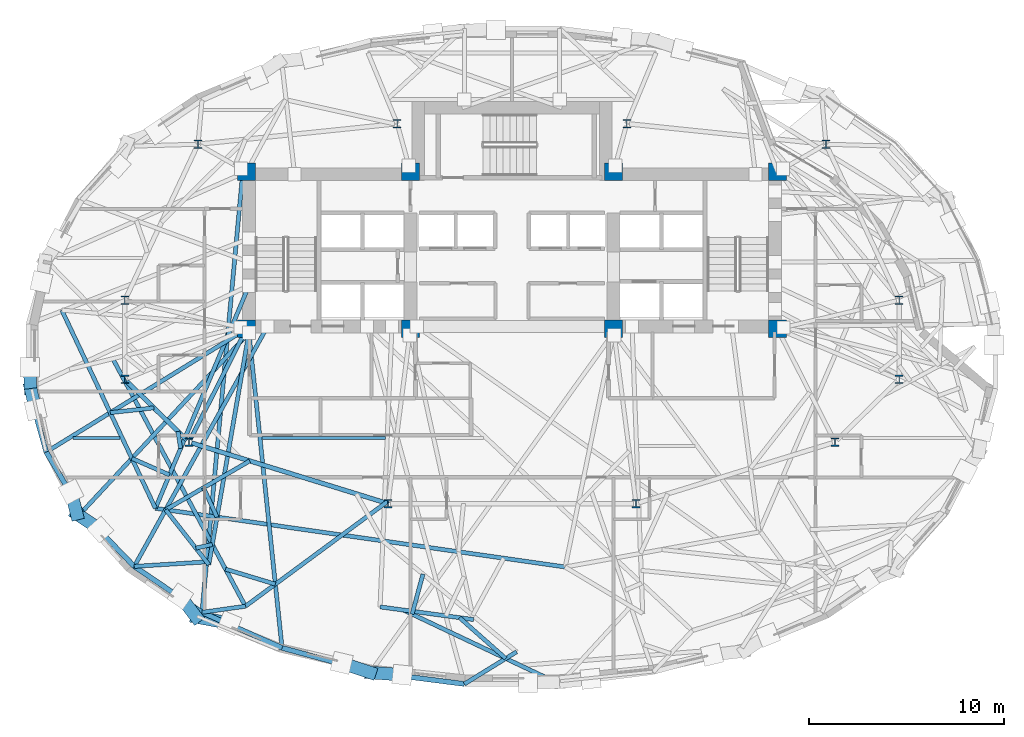
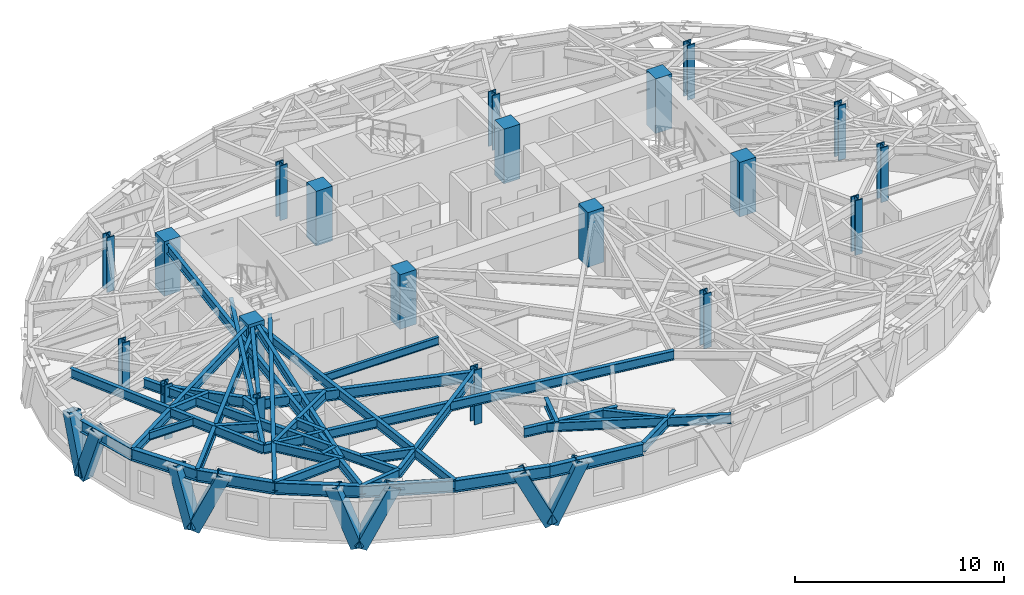
# One storey, part 1 of 15: 38 beams, 20 columns, 8 members.
"""IFC4 building model written with IfcOpenShell, lengths in metres."""

from ifc_helpers import new_model, si_unit, direction, frame, origin, origin_2d, place, context, subcontext, project, spatial, rectangle, hollow_rectangle, i_section, extrude, material, material_profile, profile_set, type_object, element, save


model = new_model("IFC4")

# Units and contexts
model_context = context("Model", 3, precision=1e-05, world=origin(), true_north=direction((0.0, 1.0)))
body_context = subcontext(model_context, "Body", "Model", "MODEL_VIEW")
ifc_project = project(units=[si_unit("LENGTHUNIT", "METRE"), si_unit("AREAUNIT", "SQUARE_METRE"), si_unit("VOLUMEUNIT", "CUBIC_METRE"), si_unit("PLANEANGLEUNIT", "RADIAN"), si_unit("MASSUNIT", "GRAM", prefix="KILO")], contexts=[model_context])

# Site, building, storey
site_placement = place(None, origin())
site = spatial("IfcSite", under=ifc_project, at=site_placement, CompositionType="ELEMENT")
building_placement = place(site_placement, origin())
building = spatial("IfcBuilding", under=site, at=building_placement, Name="Keldmark Tower", CompositionType="ELEMENT")
storey_placement = place(building_placement, frame((0.0, 0.0, 156.60009765625)))
storey = spatial("IfcBuildingStorey", under=building, at=storey_placement, Name="L42", CompositionType="ELEMENT", Elevation=156.60009765625)

# Columns
ifc_material_1 = material(Name="Concrete C50/60", Category="concrete")
ifc_material_profile_1 = material_profile(ifc_material_1, rectangle(XDim=0.89990234375, YDim=0.89990234375, at=origin_2d()), Name="RC900X900")
ifc_profile_set_1 = profile_set([ifc_material_profile_1], Name="Concrete C50/60")
column_type_1 = type_object("IfcColumnType", Name="Core Boundary Column RC900", PredefinedType="COLUMN", material=ifc_profile_set_1)
for number, where, z_axis, x_axis, name in (
    (1, (-13.60009765625, 1.39990234375, 0.0), (0.0, 0.0, 1.0), (1.0, 0.0, 0.0), "L42 Core Boundary Column CC-W1"),
    (2, (-13.60009765625, 9.449951171875, 0.0), (0.0, 0.0, 1.0), (1.0, 0.0, 0.0), "L42 Core Boundary Column CC-W2"),
    (3, (-5.199951171875, 1.39990234375, 0.0), (0.0, 0.0, 1.0), (1.0, 0.0, 0.0), "L42 Core Boundary Column CC-W3"),
    (4, (-5.199951171875, 9.449951171875, 0.0), (0.0, 0.0, 1.0), (1.0, 0.0, 0.0), "L42 Core Boundary Column CC-W4"),
    (5, (5.199951171875, 1.39990234375, 0.0), (0.0, 0.0, 1.0), (1.0, 0.0, 0.0), "L42 Core Boundary Column CC-E1"),
    (6, (5.199951171875, 9.449951171875, 0.0), (0.0, 0.0, 1.0), (1.0, 0.0, 0.0), "L42 Core Boundary Column CC-E2"),
    (7, (13.60009765625, 1.39990234375, 0.0), (0.0, 0.0, 1.0), (1.0, 0.0, 0.0), "L42 Core Boundary Column CC-E3"),
    (8, (13.60009765625, 9.449951171875, 0.0), (0.0, 0.0, 1.0), (1.0, 0.0, 0.0), "L42 Core Boundary Column CC-E4"),
):
    element("IfcColumn", number, at=place(storey_placement, frame(where, z_axis=z_axis, x_axis=x_axis)), inside=storey, type_object=column_type_1, Name=name, PredefinedType="COLUMN", context=body_context, shape_type="SweptSolid", body=[
        extrude(rectangle(XDim=0.89990234375, YDim=0.89990234375, at=origin_2d()), origin(), (0.0, 0.0, 1.0), 3.199951171875),
    ])
ifc_material_2 = material(Name="Steel ASTM A992 Grade 50", Category="steel")
ifc_material_profile_2 = material_profile(ifc_material_2, i_section(OverallWidth=0.412109375, OverallDepth=0.43505859375, WebThickness=0.035888671875, FlangeThickness=0.057373046875, at=origin_2d()), Name="W14X311")
ifc_profile_set_2 = profile_set([ifc_material_profile_2], Name="Steel ASTM A992 Grade 50")
column_type_2 = type_object("IfcColumnType", Name="Tower Gravity Column W14X311", PredefinedType="COLUMN", material=ifc_profile_set_2)
for number, where, z_axis, x_axis, name in (
    (9, (19.828369140625, 2.869140625, 0.0), (0.0, 0.0, 1.0), (1.0, 0.0, 0.0), "L42 Tower Gravity Column TC-E1"),
    (10, (16.08154296875, 10.861083984375, 0.0), (0.0, 0.0, 1.0), (1.0, 0.0, 0.0), "L42 Tower Gravity Column TC-E4"),
    (11, (5.880126953125, 11.915283203125, 0.0), (0.0, 0.0, 1.0), (1.0, 0.0, 0.0), "L42 Tower Gravity Column TC-N2"),
    (12, (-5.880126953125, 11.915283203125, 0.0), (0.0, 0.0, 1.0), (1.0, 0.0, 0.0), "L42 Tower Gravity Column TC-N1"),
    (13, (-16.08154296875, 10.861083984375, 0.0), (0.0, 0.0, 1.0), (1.0, 0.0, 0.0), "L42 Tower Gravity Column TC-W4"),
    (14, (-19.828369140625, 2.869140625, 0.0), (0.0, 0.0, 1.0), (1.0, 0.0, 0.0), "L42 Tower Gravity Column TC-W1"),
    (15, (-19.828369140625, -1.189208984375, 0.0), (0.0, 0.0, 1.0), (1.0, 0.0, 0.0), "L42 Tower Gravity Column TC-W5"),
    (16, (-16.546630859375, -4.3984375, 0.0), (0.0, 0.0, 1.0), (1.0, 0.0, 0.0), "L42 Tower Gravity Column TC-W2"),
    (17, (-6.351318359375, -7.546142578125, 0.0), (0.0, 0.0, 1.0), (1.0, 0.0, 0.0), "L42 Tower Gravity Column TC-W3"),
    (18, (6.351318359375, -7.546142578125, 0.0), (0.0, 0.0, 1.0), (1.0, 0.0, 0.0), "L42 Tower Gravity Column TC-E3"),
    (19, (16.546630859375, -4.3984375, 0.0), (0.0, 0.0, 1.0), (1.0, 0.0, 0.0), "L42 Tower Gravity Column TC-E2"),
    (20, (19.828369140625, -1.189208984375, 0.0), (0.0, 0.0, 1.0), (1.0, 0.0, 0.0), "L42 Tower Gravity Column TC-E5"),
):
    element("IfcColumn", number, at=place(storey_placement, frame(where, z_axis=z_axis, x_axis=x_axis)), inside=storey, type_object=column_type_2, Name=name, PredefinedType="COLUMN", context=body_context, shape_type="SweptSolid", body=[
        extrude(i_section(OverallWidth=0.412109375, OverallDepth=0.43505859375, WebThickness=0.035888671875, FlangeThickness=0.057373046875, at=origin_2d()), origin(), (0.0, 0.0, 1.0), 3.199951171875),
    ])

# Beams
ifc_material_3 = material(Name="Steel ASTM A992 Grade 50", Category="steel")
ifc_material_profile_3 = material_profile(ifc_material_3, i_section(OverallWidth=0.153076171875, OverallDepth=0.455078125, WebThickness=0.008056640625, FlangeThickness=0.01318359375, at=origin_2d()), Name="W18X40")
ifc_profile_set_3 = profile_set([ifc_material_profile_3], Name="Steel ASTM A992 Grade 50")
beam_type_1 = type_object("IfcBeamType", Name="Composite Floor Joist W18X40", PredefinedType="JOIST", material=ifc_profile_set_3)
beam_1_placement = place(storey_placement, frame((-22.488525390625, -4.179931640625, 2.79248046875), z_axis=(1.0, 0.0, 0.0), x_axis=(0.0, 1.0, 0.0)))
element("IfcBeam", 21, at=beam_1_placement, inside=storey, type_object=beam_type_1, Name="L42 Composite Floor Joist J01", PredefinedType="JOIST", context=body_context, shape_type="SweptSolid", body=[
    extrude(i_section(OverallWidth=0.153076171875, OverallDepth=0.455078125, WebThickness=0.008056640625, FlangeThickness=0.01318359375, at=origin_2d()), origin(), (0.0, 0.0, 1.0), 2.413330078125),
])
beam_2_placement = place(storey_placement, frame((-12.81298828125, -4.179931640625, 2.79248046875), z_axis=(1.0, 0.0, 0.0), x_axis=(0.0, 1.0, 0.0)))
element("IfcBeam", 22, at=beam_2_placement, inside=storey, type_object=beam_type_1, Name="L42 Composite Floor Joist J02", PredefinedType="JOIST", context=body_context, shape_type="SweptSolid", body=[
    extrude(i_section(OverallWidth=0.153076171875, OverallDepth=0.455078125, WebThickness=0.008056640625, FlangeThickness=0.01318359375, at=origin_2d()), origin(), (0.0, 0.0, 1.0), 6.324951171875),
])

# Members
ifc_material_4 = material(Name="Steel ASTM A572 Grade 50", Category="steel")
ifc_material_profile_4 = material_profile(ifc_material_4, hollow_rectangle(XDim=0.64990234375, YDim=0.64990234375, WallThickness=0.0400390625, at=origin_2d()), Name="BOX650X650X40")
ifc_profile_set_4 = profile_set([ifc_material_profile_4], Name="Steel ASTM A572 Grade 50")
member_type = type_object("IfcMemberType", Name="Diagrid Zone 3 Brace BOX650X650X40", PredefinedType="BRACE", material=ifc_profile_set_4)
member_1_placement = place(storey_placement, frame((-24.661376953125, -1.656494140625, -0.260009765625), z_axis=(-0.013425575147, 0.3285617657, 0.944387060506), x_axis=(-0.999166206847, -0.040827577628, 0.0)))
element("IfcMember", 23, at=member_1_placement, inside=storey, type_object=member_type, Name="L42 Perimeter Diagrid Brace 08B", PredefinedType="BRACE", context=body_context, shape_type="SweptSolid", body=[
    extrude(hollow_rectangle(XDim=0.64990234375, YDim=0.64990234375, WallThickness=0.0400390625, at=origin_2d()), origin(), (0.0, 0.0, 1.0), 3.345947265625),
])
member_2_placement = place(storey_placement, frame((-24.661376953125, -1.64453125, -0.260009765625), z_axis=(0.076993934621, -0.324365175842, 0.942793278897), x_axis=(0.972965402394, 0.23095091631, 0.0)))
element("IfcMember", 24, at=member_2_placement, inside=storey, type_object=member_type, Name="L42 Perimeter Diagrid Brace 09A", PredefinedType="BRACE", context=body_context, shape_type="SweptSolid", body=[
    extrude(hollow_rectangle(XDim=0.64990234375, YDim=0.64990234375, WallThickness=0.0400390625, at=origin_2d()), origin(), (0.0, 0.0, 1.0), 3.3515625),
])
member_3_placement = place(storey_placement, frame((-22.297607421875, -8.082275390625, -0.260009765625), z_axis=(-0.085577163201, 0.338471436517, 0.937077177078), x_axis=(-0.969492521537, -0.245120889937, 0.0)))
element("IfcMember", 25, at=member_3_placement, inside=storey, type_object=member_type, Name="L42 Perimeter Diagrid Brace 09B", PredefinedType="BRACE", context=body_context, shape_type="SweptSolid", body=[
    extrude(hollow_rectangle(XDim=0.64990234375, YDim=0.64990234375, WallThickness=0.0400390625, at=origin_2d()), origin(), (0.0, 0.0, 1.0), 3.3720703125),
])
member_4_placement = place(storey_placement, frame((-22.30224609375, -8.0712890625, -0.260009765625), z_axis=(0.348710425807, -0.233198343887, 0.907755237573), x_axis=(0.555895650808, 0.831252082952, 0.0)))
element("IfcMember", 26, at=member_4_placement, inside=storey, type_object=member_type, Name="L42 Perimeter Diagrid Brace 10A", PredefinedType="BRACE", context=body_context, shape_type="SweptSolid", body=[
    extrude(hollow_rectangle(XDim=0.64990234375, YDim=0.64990234375, WallThickness=0.0400390625, at=origin_2d()), origin(), (0.0, 0.0, 1.0), 3.48095703125),
])
member_5_placement = place(storey_placement, frame((-16.17578125, -13.36083984375, -0.260009765625), z_axis=(-0.237246505981, 0.310568192931, 0.920468083607), x_axis=(-0.794662472972, -0.607051525037, 0.0)))
element("IfcMember", 27, at=member_5_placement, inside=storey, type_object=member_type, Name="L42 Perimeter Diagrid Brace 10B", PredefinedType="BRACE", context=body_context, shape_type="SweptSolid", body=[
    extrude(hollow_rectangle(XDim=0.64990234375, YDim=0.64990234375, WallThickness=0.0400390625, at=origin_2d()), origin(), (0.0, 0.0, 1.0), 3.432861328125),
])
member_6_placement = place(storey_placement, frame((-16.18408203125, -13.3525390625, -0.260009765625), z_axis=(0.473834234057, -0.090083326029, 0.875994356721), x_axis=(0.186770346323, 0.98240360226, 0.0)))
element("IfcMember", 28, at=member_6_placement, inside=storey, type_object=member_type, Name="L42 Perimeter Diagrid Brace 11A", PredefinedType="BRACE", context=body_context, shape_type="SweptSolid", body=[
    extrude(hollow_rectangle(XDim=0.64990234375, YDim=0.64990234375, WallThickness=0.0400390625, at=origin_2d()), origin(), (0.0, 0.0, 1.0), 3.607177734375),
])
member_7_placement = place(storey_placement, frame((-7.247314453125, -16.205078125, -0.260009765625), z_axis=(-0.418816960474, 0.141176592501, 0.897029276752), x_axis=(-0.319424921765, -0.947611586757, 0.0)))
element("IfcMember", 29, at=member_7_placement, inside=storey, type_object=member_type, Name="L42 Perimeter Diagrid Brace 11B", PredefinedType="BRACE", context=body_context, shape_type="SweptSolid", body=[
    extrude(hollow_rectangle(XDim=0.64990234375, YDim=0.64990234375, WallThickness=0.0400390625, at=origin_2d()), origin(), (0.0, 0.0, 1.0), 3.522705078125),
])
member_8_placement = place(storey_placement, frame((-7.25830078125, -16.200439453125, -0.260009765625), z_axis=(0.459940361757, -0.033523749724, 0.887316753945), x_axis=(0.072694326547, 0.997354267494, 0.0)))
element("IfcMember", 30, at=member_8_placement, inside=storey, type_object=member_type, Name="L42 Perimeter Diagrid Brace 12A", PredefinedType="BRACE", context=body_context, shape_type="SweptSolid", body=[
    extrude(hollow_rectangle(XDim=0.64990234375, YDim=0.64990234375, WallThickness=0.0400390625, at=origin_2d()), origin(), (0.0, 0.0, 1.0), 3.561279296875),
])

# Beams
ifc_material_5 = material(Name="Steel ASTM A992 Grade 50", Category="steel")
ifc_material_profile_5 = material_profile(ifc_material_5, i_section(OverallWidth=0.22900390625, OverallDepth=0.612060546875, WebThickness=0.011962890625, FlangeThickness=0.01953125, at=origin_2d()), Name="W24X84")
ifc_profile_set_5 = profile_set([ifc_material_profile_5], Name="Steel ASTM A992 Grade 50")
beam_type_2 = type_object("IfcBeamType", Name="Primary Floor Girder W24X84", PredefinedType="BEAM", material=ifc_profile_set_5)
beam_3_placement = place(storey_placement, frame((-19.728271484375, -1.287109375, 2.7138671875), z_axis=(0.714964509815, -0.699160746684, 0.0), x_axis=(0.699160746684, 0.714964509815, 0.0)))
element("IfcBeam", 31, at=beam_3_placement, inside=storey, type_object=beam_type_2, Name="L42 Floor Ring Girder FG-R07", PredefinedType="BEAM", context=body_context, shape_type="SweptSolid", body=[
    extrude(i_section(OverallWidth=0.22900390625, OverallDepth=0.612060546875, WebThickness=0.011962890625, FlangeThickness=0.01953125, at=origin_2d()), origin(), (0.0, 0.0, 1.0), 4.31005859375),
])
beam_4_placement = place(storey_placement, frame((-16.412841796875, -4.439697265625, 2.7138671875), z_axis=(0.955494563145, -0.295008711398, 0.0), x_axis=(0.295008711398, 0.955494563145, 0.0)))
element("IfcBeam", 32, at=beam_4_placement, inside=storey, type_object=beam_type_2, Name="L42 Floor Ring Girder FG-R08", PredefinedType="BEAM", context=body_context, shape_type="SweptSolid", body=[
    extrude(i_section(OverallWidth=0.22900390625, OverallDepth=0.612060546875, WebThickness=0.011962890625, FlangeThickness=0.01953125, at=origin_2d()), origin(), (0.0, 0.0, 1.0), 10.39013671875),
])
ifc_material_6 = material(Name="Steel ASTM A992 Grade 50", Category="steel")
ifc_material_profile_6 = material_profile(ifc_material_6, i_section(OverallWidth=0.2099609375, OverallDepth=0.537109375, WebThickness=0.010986328125, FlangeThickness=0.017333984375, at=origin_2d()), Name="W21X68")
ifc_profile_set_6 = profile_set([ifc_material_profile_6], Name="Steel ASTM A992 Grade 50")
beam_type_3 = type_object("IfcBeamType", Name="Radial Tie Girder W21X68", PredefinedType="BEAM", material=ifc_profile_set_6)
beam_5_placement = place(storey_placement, frame((-16.4833984375, -4.273681640625, 2.75146484375), z_axis=(0.453036691775, 0.891491870914, 0.0), x_axis=(-0.891491870914, 0.453036691775, 0.0)))
element("IfcBeam", 33, at=beam_5_placement, inside=storey, type_object=beam_type_3, Name="L42 Floor Radial Girder FG-C08", PredefinedType="BEAM", context=body_context, shape_type="SweptSolid", body=[
    extrude(i_section(OverallWidth=0.2099609375, OverallDepth=0.537109375, WebThickness=0.010986328125, FlangeThickness=0.017333984375, at=origin_2d()), origin(), (0.0, 0.0, 1.0), 6.044189453125),
])
beam_6_placement = place(storey_placement, frame((-17.10888671875, -3.8486328125, 2.75146484375), z_axis=(0.151059193006, -0.988524719068, 0.0), x_axis=(0.988524719068, 0.151059193006, 0.0)))
element("IfcBeam", 34, at=beam_6_placement, inside=storey, type_object=beam_type_3, Name="L42 Framing Pin Header PH-006", PredefinedType="BEAM", context=body_context, shape_type="SweptSolid", body=[
    extrude(i_section(OverallWidth=0.2099609375, OverallDepth=0.537109375, WebThickness=0.010986328125, FlangeThickness=0.017333984375, at=origin_2d()), origin(), (0.0, 0.0, 1.0), 0.88232421875),
])
beam_7_placement = place(storey_placement, frame((-13.47509765625, 3.6142578125, 2.75146484375), z_axis=(-0.387184823209, -0.922002121839, 0.0), x_axis=(0.922002121839, -0.387184823209, 0.0)))
element("IfcBeam", 35, at=beam_7_placement, inside=storey, type_object=beam_type_3, Name="L42 Sub-Ring Step Girder STP2-M08", PredefinedType="BEAM", context=body_context, shape_type="SweptSolid", body=[
    extrude(i_section(OverallWidth=0.2099609375, OverallDepth=0.537109375, WebThickness=0.010986328125, FlangeThickness=0.017333984375, at=origin_2d()), origin(), (0.0, 0.0, 1.0), 12.366455078125),
])
beam_8_placement = place(storey_placement, frame((-23.061767578125, 2.364013671875, 2.75146484375), z_axis=(0.42735344436, -0.904084638512, 0.0), x_axis=(0.904084638512, 0.42735344436, 0.0)))
element("IfcBeam", 36, at=beam_8_placement, inside=storey, type_object=beam_type_3, Name="L42 Perimeter Collector Ring Beam CRG2-M07", PredefinedType="BEAM", context=body_context, shape_type="SweptSolid", body=[
    extrude(i_section(OverallWidth=0.2099609375, OverallDepth=0.537109375, WebThickness=0.010986328125, FlangeThickness=0.017333984375, at=origin_2d()), origin(), (0.0, 0.0, 1.0), 11.228515625),
])
beam_9_placement = place(storey_placement, frame((-18.26318359375, -7.78759765625, 2.75146484375), z_axis=(0.989880746526, -0.141901753539, 0.0), x_axis=(0.141901753539, 0.989880746526, 0.0)))
element("IfcBeam", 37, at=beam_9_placement, inside=storey, type_object=beam_type_3, Name="L42 Perimeter Collector Ring Beam CRG2-M08", PredefinedType="BEAM", context=body_context, shape_type="SweptSolid", body=[
    extrude(i_section(OverallWidth=0.2099609375, OverallDepth=0.537109375, WebThickness=0.010986328125, FlangeThickness=0.017333984375, at=origin_2d()), origin(), (0.0, 0.0, 1.0), 21.20166015625),
])
beam_10_placement = place(storey_placement, frame((-18.341552734375, -2.643310546875, 2.75146484375), z_axis=(-0.993966802091, -0.109681339982, 0.0), x_axis=(0.109681339982, -0.993966802091, 0.0)))
element("IfcBeam", 38, at=beam_10_placement, inside=storey, type_object=beam_type_3, Name="L42 Framing Pin Header PH-015", PredefinedType="BEAM", context=body_context, shape_type="SweptSolid", body=[
    extrude(i_section(OverallWidth=0.2099609375, OverallDepth=0.537109375, WebThickness=0.010986328125, FlangeThickness=0.017333984375, at=origin_2d()), origin(), (0.0, 0.0, 1.0), 2.25048828125),
])
beam_11_placement = place(storey_placement, frame((-13.60009765625, 1.39990234375, 2.75146484375), z_axis=(-0.851889377542, -0.523721766237, 0.0), x_axis=(0.523721766237, -0.851889377542, 0.0)))
element("IfcBeam", 39, at=beam_11_placement, inside=storey, type_object=beam_type_3, Name="L42 Perimeter Radial Tie Girder RT-18", PredefinedType="BEAM", context=body_context, shape_type="SweptSolid", body=[
    extrude(i_section(OverallWidth=0.2099609375, OverallDepth=0.537109375, WebThickness=0.010986328125, FlangeThickness=0.017333984375, at=origin_2d()), origin(), (0.0, 0.0, 1.0), 12.0400390625),
])
beam_12_placement = place(storey_placement, frame((-17.545166015625, -6.077392578125, 2.75146484375), z_axis=(-0.915749251717, 0.401750305513, 0.0), x_axis=(-0.401750305513, -0.915749251717, 0.0)))
element("IfcBeam", 40, at=beam_12_placement, inside=storey, type_object=beam_type_3, Name="L42 Framing Pin Header PH-016", PredefinedType="BEAM", context=body_context, shape_type="SweptSolid", body=[
    extrude(i_section(OverallWidth=0.2099609375, OverallDepth=0.537109375, WebThickness=0.010986328125, FlangeThickness=0.017333984375, at=origin_2d()), origin(), (0.0, 0.0, 1.0), 2.103271484375),
])
beam_13_placement = place(storey_placement, frame((-13.47509765625, 1.199951171875, 2.75146484375), z_axis=(-0.68187128717, -0.731472178372, 0.0), x_axis=(0.731472178372, -0.68187128717, 0.0)))
element("IfcBeam", 41, at=beam_13_placement, inside=storey, type_object=beam_type_3, Name="L42 Perimeter Radial Tie Girder RT-19", PredefinedType="BEAM", context=body_context, shape_type="SweptSolid", body=[
    extrude(i_section(OverallWidth=0.2099609375, OverallDepth=0.537109375, WebThickness=0.010986328125, FlangeThickness=0.017333984375, at=origin_2d()), origin(), (0.0, 0.0, 1.0), 12.556396484375),
])
beam_14_placement = place(storey_placement, frame((-13.4345703125, -5.359375, 2.75146484375), z_axis=(-0.86439716322, -0.502809650083, 0.0), x_axis=(0.502809650083, -0.86439716322, 0.0)))
element("IfcBeam", 42, at=beam_14_placement, inside=storey, type_object=beam_type_3, Name="L42 Framing Pin Header PH-017", PredefinedType="BEAM", context=body_context, shape_type="SweptSolid", body=[
    extrude(i_section(OverallWidth=0.2099609375, OverallDepth=0.537109375, WebThickness=0.010986328125, FlangeThickness=0.017333984375, at=origin_2d()), origin(), (0.0, 0.0, 1.0), 4.978759765625),
])
beam_15_placement = place(storey_placement, frame((-12.52490234375, 1.52490234375, 2.75146484375), z_axis=(-0.485502839655, -0.874235090057, 0.0), x_axis=(0.874235090057, -0.485502839655, 0.0)))
element("IfcBeam", 43, at=beam_15_placement, inside=storey, type_object=beam_type_3, Name="L42 Perimeter Radial Tie Girder RT-20", PredefinedType="BEAM", context=body_context, shape_type="SweptSolid", body=[
    extrude(i_section(OverallWidth=0.2099609375, OverallDepth=0.537109375, WebThickness=0.010986328125, FlangeThickness=0.017333984375, at=origin_2d()), origin(), (0.0, 0.0, 1.0), 14.057373046875),
])
beam_16_placement = place(storey_placement, frame((-15.801513671875, -6.736083984375, 2.75146484375), z_axis=(0.418497022702, -0.908218168718, 0.0), x_axis=(0.908218168718, 0.418497022702, 0.0)))
element("IfcBeam", 44, at=beam_16_placement, inside=storey, type_object=beam_type_3, Name="L42 Framing Pin Header PH-018", PredefinedType="BEAM", context=body_context, shape_type="SweptSolid", body=[
    extrude(i_section(OverallWidth=0.2099609375, OverallDepth=0.537109375, WebThickness=0.010986328125, FlangeThickness=0.017333984375, at=origin_2d()), origin(), (0.0, 0.0, 1.0), 1.655517578125),
])
beam_17_placement = place(storey_placement, frame((-13.47509765625, 1.199951171875, 2.75146484375), z_axis=(-0.170520248279, -0.985354172329, 0.0), x_axis=(0.985354172329, -0.170520248279, 0.0)))
element("IfcBeam", 45, at=beam_17_placement, inside=storey, type_object=beam_type_3, Name="L42 Intermediate Radial Step Girder RT-21M", PredefinedType="BEAM", context=body_context, shape_type="SweptSolid", body=[
    extrude(i_section(OverallWidth=0.2099609375, OverallDepth=0.537109375, WebThickness=0.010986328125, FlangeThickness=0.017333984375, at=origin_2d()), origin(), (0.0, 0.0, 1.0), 12.049560546875),
])
beam_18_placement = place(storey_placement, frame((-17.73828125, -7.86279296875, 2.75146484375), z_axis=(0.617890932331, -0.786263820701, 0.0), x_axis=(0.786263820701, 0.617890932331, 0.0)))
element("IfcBeam", 46, at=beam_18_placement, inside=storey, type_object=beam_type_3, Name="L42 Local Collector Chord RT-21C", PredefinedType="BEAM", context=body_context, shape_type="SweptSolid", body=[
    extrude(i_section(OverallWidth=0.2099609375, OverallDepth=0.537109375, WebThickness=0.010986328125, FlangeThickness=0.017333984375, at=origin_2d()), origin(), (0.0, 0.0, 1.0), 3.57421875),
])
beam_19_placement = place(storey_placement, frame((-19.349853515625, -10.7646484375, 2.75146484375), z_axis=(0.998042853963, 0.06253368415, 0.0), x_axis=(-0.06253368415, 0.998042853963, 0.0)))
element("IfcBeam", 47, at=beam_19_placement, inside=storey, type_object=beam_type_3, Name="L42 Framing Pin Header PH-019", PredefinedType="BEAM", context=body_context, shape_type="SweptSolid", body=[
    extrude(i_section(OverallWidth=0.2099609375, OverallDepth=0.537109375, WebThickness=0.010986328125, FlangeThickness=0.017333984375, at=origin_2d()), origin(), (0.0, 0.0, 1.0), 3.716796875),
])
beam_20_placement = place(storey_placement, frame((-13.800048828125, 9.324951171875, 2.75146484375), z_axis=(-0.092281945607, -0.99573291726, 0.0), x_axis=(0.99573291726, -0.092281945607, 0.0)))
element("IfcBeam", 48, at=beam_20_placement, inside=storey, type_object=beam_type_3, Name="L42 Perimeter Radial Tie Girder RT-21", PredefinedType="BEAM", context=body_context, shape_type="SweptSolid", body=[
    extrude(i_section(OverallWidth=0.2099609375, OverallDepth=0.537109375, WebThickness=0.010986328125, FlangeThickness=0.017333984375, at=origin_2d()), origin(), (0.0, 0.0, 1.0), 22.537841796875),
])
beam_21_placement = place(storey_placement, frame((-16.1923828125, -9.830078125, 2.75146484375), z_axis=(0.975279944922, 0.220972914704, 0.0), x_axis=(-0.220972914704, 0.975279944922, 0.0)))
element("IfcBeam", 49, at=beam_21_placement, inside=storey, type_object=beam_type_3, Name="L42 Framing Pin Header PH-020", PredefinedType="BEAM", context=body_context, shape_type="SweptSolid", body=[
    extrude(i_section(OverallWidth=0.2099609375, OverallDepth=0.537109375, WebThickness=0.010986328125, FlangeThickness=0.017333984375, at=origin_2d()), origin(), (0.0, 0.0, 1.0), 0.86279296875),
])
beam_22_placement = place(storey_placement, frame((-20.449462890625, -0.123779296875, 2.75146484375), z_axis=(0.472291573238, -0.881442380334, 0.0), x_axis=(0.881442380334, 0.472291573238, 0.0)))
element("IfcBeam", 50, at=beam_22_placement, inside=storey, type_object=beam_type_3, Name="L42 Intermediate Radial Step Girder RT-22M", PredefinedType="BEAM", context=body_context, shape_type="SweptSolid", body=[
    extrude(i_section(OverallWidth=0.2099609375, OverallDepth=0.537109375, WebThickness=0.010986328125, FlangeThickness=0.017333984375, at=origin_2d()), origin(), (0.0, 0.0, 1.0), 14.3876953125),
])
beam_23_placement = place(storey_placement, frame((-15.8798828125, -13.11669921875, 2.75146484375), z_axis=(0.990375132926, 0.138409161842, 0.0), x_axis=(-0.138409161842, 0.990375132926, 0.0)))
element("IfcBeam", 51, at=beam_23_placement, inside=storey, type_object=beam_type_3, Name="L42 Local Collector Chord RT-22C", PredefinedType="BEAM", context=body_context, shape_type="SweptSolid", body=[
    extrude(i_section(OverallWidth=0.2099609375, OverallDepth=0.537109375, WebThickness=0.010986328125, FlangeThickness=0.017333984375, at=origin_2d()), origin(), (0.0, 0.0, 1.0), 2.247314453125),
])
beam_24_placement = place(storey_placement, frame((-6.759033203125, -12.83837890625, 2.75146484375), z_axis=(0.99089057822, -0.134669454571, 0.0), x_axis=(0.134669454571, 0.99089057822, 0.0)))
element("IfcBeam", 52, at=beam_24_placement, inside=storey, type_object=beam_type_3, Name="L42 Local Collector Chord RT-24C", PredefinedType="BEAM", context=body_context, shape_type="SweptSolid", body=[
    extrude(i_section(OverallWidth=0.2099609375, OverallDepth=0.537109375, WebThickness=0.010986328125, FlangeThickness=0.017333984375, at=origin_2d()), origin(), (0.0, 0.0, 1.0), 4.836669921875),
])
beam_25_placement = place(storey_placement, frame((-2.439208984375, -16.7880859375, 2.75146484375), z_axis=(0.851276700656, 0.524717046531, 0.0), x_axis=(-0.524717046531, 0.851276700656, 0.0)))
element("IfcBeam", 53, at=beam_25_placement, inside=storey, type_object=beam_type_3, Name="L42 Local Collector Chord RT-25C", PredefinedType="BEAM", context=body_context, shape_type="SweptSolid", body=[
    extrude(i_section(OverallWidth=0.2099609375, OverallDepth=0.537109375, WebThickness=0.010986328125, FlangeThickness=0.017333984375, at=origin_2d()), origin(), (0.0, 0.0, 1.0), 3.14306640625),
])
beam_26_placement = place(storey_placement, frame((-2.685302734375, -13.39208984375, 2.75146484375), z_axis=(0.749386209954, -0.662133150001, 0.0), x_axis=(0.662133150001, 0.749386209954, 0.0)))
element("IfcBeam", 54, at=beam_26_placement, inside=storey, type_object=beam_type_3, Name="L42 Framing Pin Header PH-025", PredefinedType="BEAM", context=body_context, shape_type="SweptSolid", body=[
    extrude(i_section(OverallWidth=0.2099609375, OverallDepth=0.537109375, WebThickness=0.010986328125, FlangeThickness=0.017333984375, at=origin_2d()), origin(), (0.0, 0.0, 1.0), 3.15625),
])
beam_27_placement = place(storey_placement, frame((-5.560791015625, -13.001220703125, 2.75146484375), z_axis=(0.903851822257, -0.427845630342, 0.0), x_axis=(0.427845630342, 0.903851822257, 0.0)))
element("IfcBeam", 55, at=beam_27_placement, inside=storey, type_object=beam_type_3, Name="L42 Perimeter Radial Tie Girder RT-25", PredefinedType="BEAM", context=body_context, shape_type="SweptSolid", body=[
    extrude(i_section(OverallWidth=0.2099609375, OverallDepth=0.537109375, WebThickness=0.010986328125, FlangeThickness=0.017333984375, at=origin_2d()), origin(), (0.0, 0.0, 1.0), 8.85107421875),
])
beam_28_placement = place(storey_placement, frame((-13.654296875, -12.8056640625, 2.75146484375), z_axis=(0.804846658132, 0.593482819375, 0.0), x_axis=(-0.593482819375, 0.804846658132, 0.0)))
element("IfcBeam", 56, at=beam_28_placement, inside=storey, type_object=beam_type_3, Name="L42 Straddling Support Chord RT-22RB", PredefinedType="BEAM", context=body_context, shape_type="SweptSolid", body=[
    extrude(i_section(OverallWidth=0.2099609375, OverallDepth=0.537109375, WebThickness=0.010986328125, FlangeThickness=0.017333984375, at=origin_2d()), origin(), (0.0, 0.0, 1.0), 9.09619140625),
])
beam_29_placement = place(storey_placement, frame((-14.673583984375, -10.9033203125, 2.75146484375), z_axis=(0.957132932409, -0.289649011214, 0.0), x_axis=(0.289649011214, 0.957132932409, 0.0)))
element("IfcBeam", 57, at=beam_29_placement, inside=storey, type_object=beam_type_3, Name="L42 Framing Pin Header PH-040", PredefinedType="BEAM", context=body_context, shape_type="SweptSolid", body=[
    extrude(i_section(OverallWidth=0.2099609375, OverallDepth=0.537109375, WebThickness=0.010986328125, FlangeThickness=0.017333984375, at=origin_2d()), origin(), (0.0, 0.0, 1.0), 2.666015625),
])
beam_30_placement = place(storey_placement, frame((-13.47509765625, 1.199951171875, 2.75146484375), z_axis=(0.104535977391, -0.994521105573, 0.0), x_axis=(0.994521105573, 0.104535977391, 0.0)))
element("IfcBeam", 58, at=beam_30_placement, inside=storey, type_object=beam_type_3, Name="L42 Perimeter Radial Tie Girder RT-22R", PredefinedType="BEAM", context=body_context, shape_type="SweptSolid", body=[
    extrude(i_section(OverallWidth=0.2099609375, OverallDepth=0.537109375, WebThickness=0.010986328125, FlangeThickness=0.017333984375, at=origin_2d()), origin(), (0.0, 0.0, 1.0), 16.226806640625),
])
beam_31_placement = place(storey_placement, frame((-4.56005859375, -11.161865234375, 2.75146484375), z_axis=(-0.262446171784, -0.964946634232, 0.0), x_axis=(0.964946634232, -0.262446171784, 0.0)))
element("IfcBeam", 59, at=beam_31_placement, inside=storey, type_object=beam_type_3, Name="L42 Framing Pin Header PH-041", PredefinedType="BEAM", context=body_context, shape_type="SweptSolid", body=[
    extrude(i_section(OverallWidth=0.2099609375, OverallDepth=0.537109375, WebThickness=0.010986328125, FlangeThickness=0.017333984375, at=origin_2d()), origin(), (0.0, 0.0, 1.0), 2.123779296875),
])
ifc_material_7 = material(Name="Steel ASTM A992 Grade 50", Category="steel")
ifc_material_profile_7 = material_profile(ifc_material_7, i_section(OverallWidth=0.256103515625, OverallDepth=0.693115234375, WebThickness=0.014404296875, FlangeThickness=0.023681640625, at=origin_2d()), Name="W27X114")
ifc_profile_set_7 = profile_set([ifc_material_profile_7], Name="Steel ASTM A992 Grade 50")
beam_type_4 = type_object("IfcBeamType", Name="Spandrel Ring Beam W27X114", PredefinedType="SPANDREL", material=ifc_profile_set_7)
beam_32_placement = place(storey_placement, frame((-24.76611328125, -1.653564453125, 2.67333984375), z_axis=(0.269235699479, -0.963074315993, 0.0), x_axis=(0.963074315993, 0.269235699479, 0.0)))
element("IfcBeam", 60, at=beam_32_placement, inside=storey, type_object=beam_type_4, Name="L42 Perimeter Spandrel Ring Beam SRB-17", PredefinedType="SPANDREL", context=body_context, shape_type="SweptSolid", body=[
    extrude(i_section(OverallWidth=0.256103515625, OverallDepth=0.693115234375, WebThickness=0.014404296875, FlangeThickness=0.023681640625, at=origin_2d()), origin(), (0.0, 0.0, 1.0), 3.376953125),
])
beam_33_placement = place(storey_placement, frame((-23.85693359375, -4.90576171875, 2.67333984375), z_axis=(0.508883387051, -0.860835465338, 0.0), x_axis=(0.860835465338, 0.508883387051, 0.0)))
element("IfcBeam", 61, at=beam_33_placement, inside=storey, type_object=beam_type_4, Name="L42 Perimeter Spandrel Ring Beam SRB-18", PredefinedType="SPANDREL", context=body_context, shape_type="SweptSolid", body=[
    extrude(i_section(OverallWidth=0.256103515625, OverallDepth=0.693115234375, WebThickness=0.014404296875, FlangeThickness=0.023681640625, at=origin_2d()), origin(), (0.0, 0.0, 1.0), 3.57666015625),
])
beam_34_placement = place(storey_placement, frame((-22.036865234375, -7.984619140625, 2.67333984375), z_axis=(0.694975307772, -0.719033602544, 0.0), x_axis=(0.719033602544, 0.694975307772, 0.0)))
element("IfcBeam", 62, at=beam_34_placement, inside=storey, type_object=beam_type_4, Name="L42 Perimeter Spandrel Ring Beam SRB-19", PredefinedType="SPANDREL", context=body_context, shape_type="SweptSolid", body=[
    extrude(i_section(OverallWidth=0.256103515625, OverallDepth=0.693115234375, WebThickness=0.014404296875, FlangeThickness=0.023681640625, at=origin_2d()), origin(), (0.0, 0.0, 1.0), 3.866455078125),
])
beam_35_placement = place(storey_placement, frame((-19.349853515625, -10.7646484375, 2.67333984375), z_axis=(0.827760762475, -0.561081206338, 0.0), x_axis=(0.561081206338, 0.827760762475, 0.0)))
element("IfcBeam", 63, at=beam_35_placement, inside=storey, type_object=beam_type_4, Name="L42 Perimeter Spandrel Ring Beam SRB-20", PredefinedType="SPANDREL", context=body_context, shape_type="SweptSolid", body=[
    extrude(i_section(OverallWidth=0.256103515625, OverallDepth=0.693115234375, WebThickness=0.014404296875, FlangeThickness=0.023681640625, at=origin_2d()), origin(), (0.0, 0.0, 1.0), 4.19189453125),
])
beam_36_placement = place(storey_placement, frame((-15.8798828125, -13.11669921875, 2.67333984375), z_axis=(0.913928177397, -0.405875949719, 0.0), x_axis=(0.405875949719, 0.913928177397, 0.0)))
element("IfcBeam", 64, at=beam_36_placement, inside=storey, type_object=beam_type_4, Name="L42 Perimeter Spandrel Ring Beam SRB-21", PredefinedType="SPANDREL", context=body_context, shape_type="SweptSolid", body=[
    extrude(i_section(OverallWidth=0.256103515625, OverallDepth=0.693115234375, WebThickness=0.014404296875, FlangeThickness=0.023681640625, at=origin_2d()), origin(), (0.0, 0.0, 1.0), 4.4873046875),
])
beam_37_placement = place(storey_placement, frame((-11.77880859375, -14.93798828125, 2.67333984375), z_axis=(0.965024302167, -0.26216043986, 0.0), x_axis=(0.26216043986, 0.965024302167, 0.0)))
element("IfcBeam", 65, at=beam_37_placement, inside=storey, type_object=beam_type_4, Name="L42 Perimeter Spandrel Ring Beam SRB-22", PredefinedType="SPANDREL", context=body_context, shape_type="SweptSolid", body=[
    extrude(i_section(OverallWidth=0.256103515625, OverallDepth=0.693115234375, WebThickness=0.014404296875, FlangeThickness=0.023681640625, at=origin_2d()), origin(), (0.0, 0.0, 1.0), 4.70654296875),
])
beam_38_placement = place(storey_placement, frame((-7.23681640625, -16.171875, 2.67333984375), z_axis=(0.991852091732, -0.127394772761, 0.0), x_axis=(0.127394772761, 0.991852091732, 0.0)))
element("IfcBeam", 66, at=beam_38_placement, inside=storey, type_object=beam_type_4, Name="L42 Perimeter Spandrel Ring Beam SRB-23", PredefinedType="SPANDREL", context=body_context, shape_type="SweptSolid", body=[
    extrude(i_section(OverallWidth=0.256103515625, OverallDepth=0.693115234375, WebThickness=0.014404296875, FlangeThickness=0.023681640625, at=origin_2d()), origin(), (0.0, 0.0, 1.0), 4.8369140625),
])

save(model, "model.ifc")
